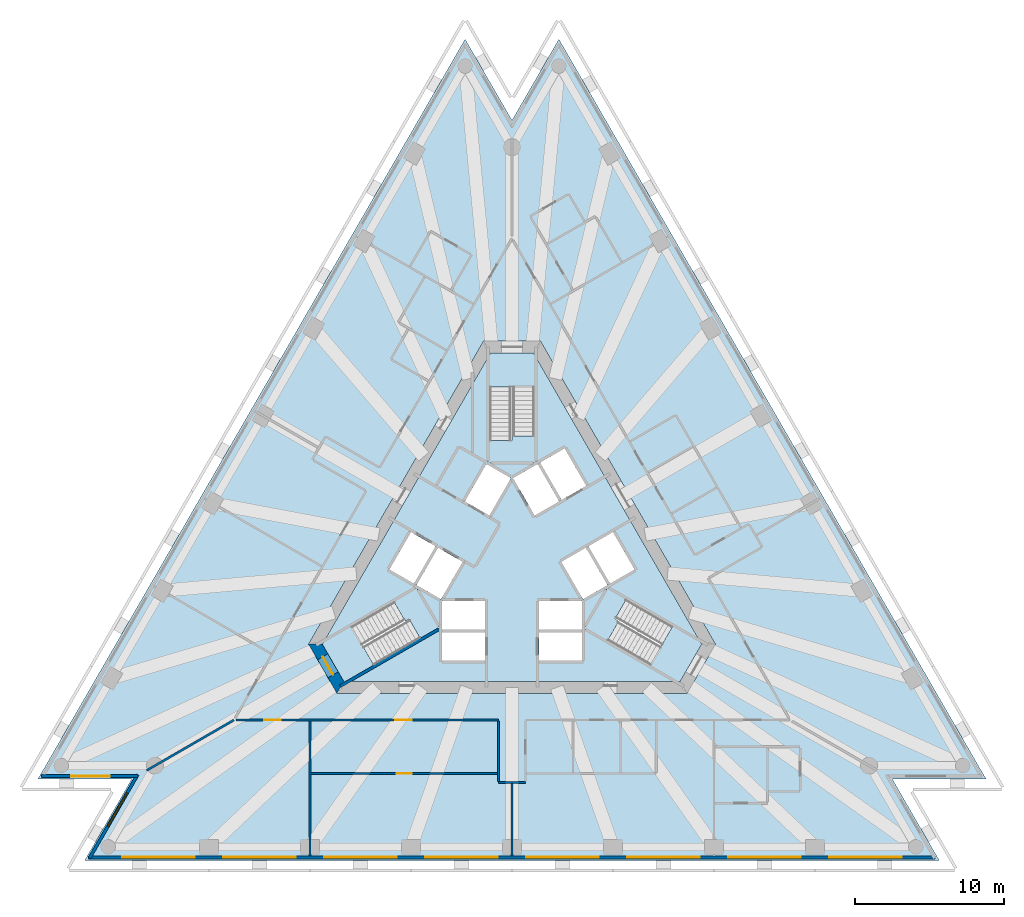
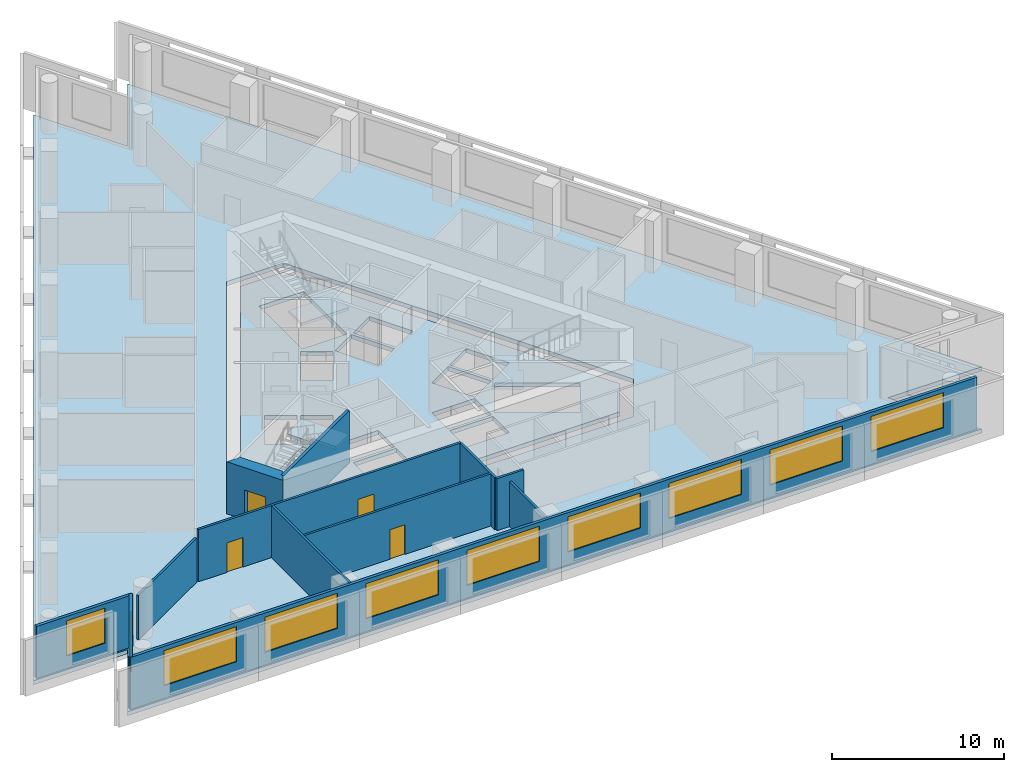
# One storey, part 2 of 9: 12 walls, 10 windows, 5 slabs, 4 doors, 14 openings, 3 elements without a shape of their own.
"""IFC4 building model written with IfcOpenShell, lengths in metres."""

from ifc_helpers import new_model, si_unit, direction, frame, frame_2d, origin, place, context, subcontext, project, spatial, polyline, rectangle, outline, extrude, material, layer, layer_set, layer_usage, type_object, element, fill, aggregate, save


model = new_model("IFC4")

# Units and contexts
model_context = context("Model", 3, precision=1e-05, world=origin(), true_north=direction((0.0, 1.0)))
body_context = subcontext(model_context, "Body", "Model", "MODEL_VIEW")
ifc_project = project(units=[si_unit("LENGTHUNIT", "METRE"), si_unit("AREAUNIT", "SQUARE_METRE"), si_unit("VOLUMEUNIT", "CUBIC_METRE"), si_unit("PLANEANGLEUNIT", "RADIAN"), si_unit("MASSUNIT", "GRAM", prefix="KILO")], contexts=[model_context])

# Site, building, storey
site_placement = place(None, origin())
site = spatial("IfcSite", under=ifc_project, at=site_placement, CompositionType="ELEMENT")
building_placement = place(site_placement, origin())
building = spatial("IfcBuilding", under=site, at=building_placement, Name="Triada Interchange Tower", CompositionType="ELEMENT")
storey_placement = place(building_placement, frame((0.0, 0.0, 132.300048828125)))
storey = spatial("IfcBuildingStorey", under=building, at=storey_placement, Name="L30", CompositionType="ELEMENT", Elevation=132.300048828125)

# Slabs
ifc_material_1 = material(Name="Concrete C50/60", Category="concrete")
ifc_layer_1 = layer(ifc_material_1, 0.300048828125)
ifc_layer_set_1 = layer_set([ifc_layer_1], Name="Floor slab 300")
slab_type_1 = type_object("IfcSlabType", Name="Floor slab 300", PredefinedType="FLOOR", material=ifc_layer_set_1)
slab_1_placement = place(storey_placement, frame((0.0, 0.0, -0.300048828125)))
element("IfcSlab", 1, at=slab_1_placement, inside=storey, type_object=slab_type_1, Name="Floor slab L30", PredefinedType="FLOOR", context=body_context, shape_type="SweptSolid", body=[
    extrude(outline(polyline([(-3.154052734375, 35.0009765625), (-31.888916015625, -14.76904296875), (-25.5810546875, -14.76904296875), (-28.735107421875, -20.23193359375), (28.735107421875, -20.23193359375), (25.5810546875, -14.76904296875), (31.888916015625, -14.76904296875), (3.154052734375, 35.0009765625), (0.0, 29.5390625), (-3.154052734375, 35.0009765625)]), holes=[polyline([(1.905029296875, 14.699951171875), (-1.905029296875, 14.699951171875), (-13.68310546875, -5.699951171875), (-11.778076171875, -9.0), (11.778076171875, -9.0), (13.68310546875, -5.699951171875), (1.905029296875, 14.699951171875)])]), origin(), (0.0, 0.0, 1.0), 0.300048828125),
])
slab_2_placement = place(storey_placement, frame((0.0, 0.0, -0.300048828125)))
element("IfcSlab", 2, at=slab_2_placement, inside=storey, type_object=slab_type_1, Name="Core floor slab L30 1", PredefinedType="FLOOR", context=body_context, shape_type="SweptSolid", body=[
    extrude(outline(polyline([(12.759033203125, -5.699951171875), (11.31591796875, -8.199951171875), (-11.31591796875, -8.199951171875), (-12.759033203125, -5.699951171875), (-1.443115234375, 13.89990234375), (1.443115234375, 13.89990234375), (12.759033203125, -5.699951171875)]), holes=[polyline([(9.2958984375, -7.09912109375), (10.7958984375, -4.5009765625), (6.466064453125, -2.0009765625), (4.966064453125, -4.59912109375), (9.2958984375, -7.09912109375)]), polyline([(6.7890625, 1.841064453125), (5.14404296875, 0.89111328125), (6.593994140625, -1.6201171875), (8.239013671875, -0.669921875), (6.7890625, 1.841064453125)]), polyline([(4.77490234375, -2.669921875), (6.419921875, -1.719970703125), (4.969970703125, 0.791015625), (3.9150390625, 0.181884765625), (3.324951171875, -0.158935546875), (4.77490234375, -2.669921875)]), polyline([(1.89404296875, 6.52001953125), (3.343994140625, 4.009033203125), (4.989013671875, 4.958984375), (3.5390625, 7.469970703125), (1.89404296875, 6.52001953125)]), polyline([(4.699951171875, -6.800048828125), (4.699951171875, -4.89990234375), (1.800048828125, -4.89990234375), (1.800048828125, -6.800048828125), (4.699951171875, -6.800048828125)]), polyline([(4.699951171875, -2.800048828125), (1.800048828125, -2.800048828125), (1.800048828125, -4.699951171875), (4.699951171875, -4.699951171875), (4.699951171875, -2.800048828125)]), polyline([(0.074951171875, 5.469970703125), (1.52490234375, 2.958984375), (3.169921875, 3.908935546875), (1.719970703125, 6.419921875), (0.074951171875, 5.469970703125)]), polyline([(1.5, 11.60009765625), (-1.5, 11.60009765625), (-1.5, 6.60009765625), (1.5, 6.60009765625), (1.5, 11.60009765625)]), polyline([(-1.52490234375, 2.958984375), (-0.074951171875, 5.469970703125), (-1.719970703125, 6.419921875), (-3.169921875, 3.908935546875), (-1.52490234375, 2.958984375)]), polyline([(-1.800048828125, -2.800048828125), (-4.699951171875, -2.800048828125), (-4.699951171875, -4.699951171875), (-1.800048828125, -4.699951171875), (-1.800048828125, -2.800048828125)]), polyline([(-4.699951171875, -6.800048828125), (-1.800048828125, -6.800048828125), (-1.800048828125, -4.89990234375), (-4.699951171875, -4.89990234375), (-4.699951171875, -6.800048828125)]), polyline([(-4.77490234375, -2.669921875), (-3.324951171875, -0.158935546875), (-4.969970703125, 0.791015625), (-6.419921875, -1.719970703125), (-4.77490234375, -2.669921875)]), polyline([(-10.7958984375, -4.5009765625), (-9.2958984375, -7.09912109375), (-4.966064453125, -4.59912109375), (-6.466064453125, -2.0009765625), (-10.7958984375, -4.5009765625)]), polyline([(-6.593994140625, -1.6201171875), (-5.14404296875, 0.89111328125), (-6.7890625, 1.841064453125), (-8.239013671875, -0.669921875), (-6.593994140625, -1.6201171875)])]), origin(), (0.0, 0.0, 1.0), 0.300048828125),
])

# Stair, slab
ifc_material_2 = material(Name="Concrete C35/45", Category="concrete")
stair_type = type_object("IfcStairType", Name="HALF TURN STAIR 1400", PredefinedType="HALF_TURN_STAIR", material=ifc_material_2)
stair_1_placement = place(storey_placement, origin())
stair_1 = element("IfcStair", 3, at=stair_1_placement, inside=storey, type_object=stair_type, Name="Exit stair S29-1", PredefinedType="HALF_TURN_STAIR")
ifc_layer_2 = layer(ifc_material_2, 0.199951171875)
ifc_layer_set_2 = layer_set([ifc_layer_2], Name="STAIR LANDING 200")
slab_type_2 = type_object("IfcSlabType", Name="STAIR LANDING 200", PredefinedType="LANDING", material=ifc_layer_set_2)
slab_3_placement = place(storey_placement, frame((0.0, 0.0, 1.719970703125)))
slab_3 = element("IfcSlab", 4, at=slab_3_placement, type_object=slab_type_2, Name="S29-1 landing 1", PredefinedType="LANDING", context=body_context, shape_type="SweptSolid", body=[
    extrude(outline(polyline([(1.60009765625, 6.5), (1.60009765625, 8.300048828125), (0.0, 8.300048828125), (0.0, 8.0), (-1.60009765625, 8.0), (-1.60009765625, 6.5), (1.60009765625, 6.5)])), origin(), (0.0, 0.0, 1.0), 0.199951171875),
])
aggregate(stair_1, [slab_3])

stair_2_placement = place(storey_placement, origin())
stair_2 = element("IfcStair", 5, at=stair_2_placement, inside=storey, type_object=stair_type, Name="Exit stair S29-2", PredefinedType="HALF_TURN_STAIR")
slab_4_placement = place(storey_placement, frame((0.0, 0.0, 1.719970703125)))
slab_4 = element("IfcSlab", 6, at=slab_4_placement, type_object=slab_type_2, Name="S29-2 landing 1", PredefinedType="LANDING", context=body_context, shape_type="SweptSolid", body=[
    extrude(outline(polyline([(-6.428955078125, -1.864013671875), (-7.988037109375, -2.763916015625), (-7.18798828125, -4.14990234375), (-6.927978515625, -4.0), (-6.1279296875, -5.385986328125), (-4.8291015625, -4.635986328125), (-6.428955078125, -1.864013671875)])), origin(), (0.0, 0.0, 1.0), 0.199951171875),
])
aggregate(stair_2, [slab_4])

stair_3_placement = place(storey_placement, origin())
stair_3 = element("IfcStair", 7, at=stair_3_placement, inside=storey, type_object=stair_type, Name="Exit stair S29-3", PredefinedType="HALF_TURN_STAIR")
slab_5_placement = place(storey_placement, frame((0.0, 0.0, 1.719970703125)))
slab_5 = element("IfcSlab", 8, at=slab_5_placement, type_object=slab_type_2, Name="S29-3 landing 1", PredefinedType="LANDING", context=body_context, shape_type="SweptSolid", body=[
    extrude(outline(polyline([(4.8291015625, -4.635986328125), (6.387939453125, -5.535888671875), (7.18798828125, -4.14990234375), (6.927978515625, -4.0), (7.72802734375, -2.614013671875), (6.428955078125, -1.864013671875), (4.8291015625, -4.635986328125)])), origin(), (0.0, 0.0, 1.0), 0.199951171875),
])
aggregate(stair_3, [slab_5])

# Wall
ifc_material_3 = material(Name="Concrete C30/37", Category="concrete")
ifc_layer_3 = layer(ifc_material_3, 0.199951171875)
ifc_layer_set_3 = layer_set([ifc_layer_3], Name="CORE WALL 200 REI 240")
wall_type_1 = type_object("IfcWallType", Name="CORE WALL 200 REI 240", PredefinedType="SOLIDWALL", material=ifc_layer_set_3)
wall_1_placement = place(storey_placement, frame((-11.56689453125, -8.52587890625, 0.0), z_axis=(0.0, 0.0, 1.0), x_axis=(0.866005769735, 0.50003400563, 0.0)))
element("IfcWall", 9, at=wall_1_placement, inside=storey, type_object=wall_type_1, Name="Wall L29 94", PredefinedType="SOLIDWALL", context=body_context, shape_type="SweptSolid", body=[
    extrude(rectangle(XDim=7.6650390625, YDim=0.199951171875, at=frame_2d((3.83251953125, 0.0))), origin(), (0.0, 0.0, 1.0), 3.699951171875),
])

# Wall, opening, door
ifc_material_4 = material(Name="Concrete C60/75", Category="concrete")
ifc_layer_4 = layer(ifc_material_4, 0.800048828125)
ifc_layer_set_4 = layer_set([ifc_layer_4], Name="Core wall B 800")
wall_type_2 = type_object("IfcWallType", Name="Core wall B 800", PredefinedType="SHEAR", material=ifc_layer_set_4)
wall_2_placement = place(storey_placement, frame((-13.220947265625, -5.699951171875, -0.300048828125), z_axis=(0.0, 0.0, 1.0), x_axis=(0.49987182685, -0.866099391942, 0.0)))
wall_2 = element("IfcWall", 10, at=wall_2_placement, inside=storey, type_object=wall_type_2, Name="Core wall WB03 L30", PredefinedType="SHEAR", context=body_context, shape_type="SweptSolid", body=[
    extrude(outline(polyline([(-0.23095703125, -0.39990234375), (1.674072265625, -0.39990234375), (3.5791015625, -0.39990234375), (3.117919921875, 0.39990234375), (1.67431640625, 0.39990234375), (0.23095703125, 0.39990234375), (-0.23095703125, -0.39990234375)])), origin(), (0.0, 0.0, 1.0), 4.0),
])
opening_1_placement = place(wall_2_placement, frame((0.97412109375, 0.0, 0.300048828125)))
opening_1 = element("IfcOpeningElement", 11, at=opening_1_placement, cuts=wall_2, Name="Opening D29-39", PredefinedType="OPENING", context=body_context, shape_type="SweptSolid", body=[
    extrude(rectangle(XDim=1.39990234375, YDim=2.10009765625, at=frame_2d((0.699951171875, 1.050048828125))), frame((0.0, 0.409912109375, 0.0), z_axis=(0.0, -1.0, 0.0), x_axis=(1.0, 0.0, 0.0)), (0.0, 0.0, 1.0), 0.820068359375),
])
ifc_material_5 = material(Name="Steel S235 door leaf", Category="steel")
door_type_1 = type_object("IfcDoorType", Name="STAIR DOOR 1400 EI2 90-C5S200", OperationType="DOUBLE_DOOR_SINGLE_SWING", PredefinedType="DOOR", material=ifc_material_5)
door_1_placement = place(opening_1_placement, origin())
door_1 = element("IfcDoor", 12, at=door_1_placement, inside=storey, type_object=door_type_1, Name="Door D29-39 L30", OperationType="DOUBLE_DOOR_SINGLE_SWING", OverallHeight=2.10009765625, OverallWidth=1.39990234375, PredefinedType="DOOR", context=body_context, shape_type="SweptSolid", body=[
    extrude(rectangle(XDim=1.39990234375, YDim=2.10009765625, at=frame_2d((0.699951171875, 1.050048828125))), frame((0.0, 0.02490234375, 0.0), z_axis=(0.0, -1.0, 0.0), x_axis=(1.0, 0.0, 0.0)), (0.0, 0.0, 1.0), 0.050048828125),
])
fill(opening_1, door_1)

# Wall, opening, window
ifc_material_6 = material(Name="Cement board")
ifc_layer_5 = layer(ifc_material_6, 0.02001953125, Name="Cement board cladding")
ifc_material_7 = material(Name="Sheathing board")
ifc_layer_6 = layer(ifc_material_7, 0.014892578125, Name="Sheathing board")
ifc_material_8 = material(Name="Mineral wool")
ifc_layer_7 = layer(ifc_material_8, 0.14990234375, Name="Mineral wool between steel studs")
ifc_material_9 = material(Name="Gypsum board")
ifc_layer_8 = layer(ifc_material_9, 0.014892578125, Name="Plasterboard lining")
ifc_layer_set_5 = layer_set([ifc_layer_5, ifc_layer_6, ifc_layer_7, ifc_layer_8], Name="External wall 200")
ifc_layer_usage = layer_usage(ifc_layer_set_5, "AXIS2", "POSITIVE", -0.10009765625)
wall_type_3 = type_object("IfcWallType", Name="External wall 200", PredefinedType="ELEMENTEDWALL", material=ifc_layer_set_5)
wall_3_placement = place(storey_placement, frame((-31.633056640625, -14.569091796875, 0.0), z_axis=(0.0, 0.0, 1.0), x_axis=(1.0, 0.0, 0.0)))
wall_3 = element("IfcWall", 13, at=wall_3_placement, inside=storey, type_object=wall_type_3, material=ifc_layer_usage, Name="External wall L30 SW-1", PredefinedType="ELEMENTEDWALL", context=body_context, shape_type="SweptSolid", body=[
    extrude(rectangle(XDim=6.468017578125, YDim=0.199951171875, at=frame_2d((3.23388671875, 0.0))), origin(), (0.0, 0.0, 1.0), 3.699951171875),
])
opening_2_placement = place(wall_3_placement, frame((1.989990234375, 0.0, 0.89990234375)))
opening_2 = element("IfcOpeningElement", 14, at=opening_2_placement, cuts=wall_3, Name="Opening WB09", PredefinedType="OPENING", context=body_context, shape_type="SweptSolid", body=[
    extrude(rectangle(XDim=2.60009765625, YDim=2.5, at=frame_2d((1.300048828125, 1.25))), frame((0.0, 0.10986328125, 0.0), z_axis=(0.0, -1.0, 0.0), x_axis=(1.0, 0.0, 0.0)), (0.0, 0.0, 1.0), 0.219970703125),
])
ifc_material_10 = material(Name="Double glazed aluminium window", Category="aluminium")
window_type_1 = type_object("IfcWindowType", Name="Ribbon window B pocket", PartitioningType="SINGLE_PANEL", PredefinedType="WINDOW", material=ifc_material_10)
window_1_placement = place(opening_2_placement, origin())
window_1 = element("IfcWindow", 15, at=window_1_placement, inside=storey, type_object=window_type_1, Name="Window L30 SW-1 1", OverallHeight=2.5, OverallWidth=2.60009765625, PartitioningType="SINGLE_PANEL", PredefinedType="WINDOW", context=body_context, shape_type="SweptSolid", body=[
    extrude(rectangle(XDim=2.60009765625, YDim=2.5, at=frame_2d((1.300048828125, 1.25))), frame((0.0, 0.030029296875, 0.0), z_axis=(0.0, -1.0, 0.0), x_axis=(1.0, 0.0, 0.0)), (0.0, 0.0, 1.0), 0.06005859375),
])
fill(opening_2, window_1)

wall_4_placement = place(storey_placement, frame((-25.18994140625, -14.490966796875, 0.0), z_axis=(0.0, 0.0, 1.0), x_axis=(-0.499975110204, -0.866039773438, 0.0)))
wall_4 = element("IfcWall", 16, at=wall_4_placement, inside=storey, type_object=wall_type_3, material=ifc_layer_usage, Name="External wall L30 SW-2", PredefinedType="ELEMENTEDWALL", context=body_context, shape_type="SweptSolid", body=[
    extrude(rectangle(XDim=6.468505859375, YDim=0.199951171875, at=frame_2d((3.234375, 0.0))), origin(), (0.0, 0.0, 1.0), 3.699951171875),
])
opening_3_placement = place(wall_4_placement, frame((1.389892578125, 0.0, 0.89990234375)))
opening_3 = element("IfcOpeningElement", 17, at=opening_3_placement, cuts=wall_4, Name="Opening WB10", PredefinedType="OPENING", context=body_context, shape_type="SweptSolid", body=[
    extrude(rectangle(XDim=2.60009765625, YDim=2.5, at=frame_2d((1.300048828125, 1.25))), frame((0.0, 0.10986328125, 0.0), z_axis=(0.0, -1.0, 0.0), x_axis=(1.0, 0.0, 0.0)), (0.0, 0.0, 1.0), 0.219970703125),
])
window_2_placement = place(opening_3_placement, origin())
window_2 = element("IfcWindow", 18, at=window_2_placement, inside=storey, type_object=window_type_1, Name="Window L30 SW-2 1", OverallHeight=2.5, OverallWidth=2.60009765625, PartitioningType="SINGLE_PANEL", PredefinedType="WINDOW", context=body_context, shape_type="SweptSolid", body=[
    extrude(rectangle(XDim=2.60009765625, YDim=2.5, at=frame_2d((1.300048828125, 1.25))), frame((0.0, 0.030029296875, 0.0), z_axis=(0.0, -1.0, 0.0), x_axis=(1.0, 0.0, 0.0)), (0.0, 0.0, 1.0), 0.06005859375),
])
fill(opening_3, window_2)

# Wall, openings, windows
wall_5_placement = place(storey_placement, frame((-28.47900390625, -20.031982421875, 0.0), z_axis=(0.0, 0.0, 1.0), x_axis=(1.0, 0.0, 0.0)))
wall_5 = element("IfcWall", 19, at=wall_5_placement, inside=storey, type_object=wall_type_3, material=ifc_layer_usage, Name="External wall L30 S", PredefinedType="ELEMENTEDWALL", context=body_context, shape_type="SweptSolid", body=[
    extrude(rectangle(XDim=56.93798828125, YDim=0.199951171875, at=frame_2d((28.468994140625, 0.0))), origin(), (0.0, 0.0, 1.0), 3.699951171875),
])
opening_4_placement = place(wall_5_placement, frame((2.25, 0.0, 0.89990234375)))
opening_4 = element("IfcOpeningElement", 20, at=opening_4_placement, cuts=wall_5, Name="Opening WB11", PredefinedType="OPENING", context=body_context, shape_type="SweptSolid", body=[
    extrude(rectangle(XDim=4.89990234375, YDim=2.5, at=frame_2d((2.449951171875, 1.25))), frame((0.0, 0.10986328125, 0.0), z_axis=(0.0, -1.0, 0.0), x_axis=(1.0, 0.0, 0.0)), (0.0, 0.0, 1.0), 0.219970703125),
])
opening_5_placement = place(wall_5_placement, frame((9.0439453125, 0.0, 0.89990234375)))
opening_5 = element("IfcOpeningElement", 21, at=opening_5_placement, cuts=wall_5, Name="Opening WB12", PredefinedType="OPENING", context=body_context, shape_type="SweptSolid", body=[
    extrude(rectangle(XDim=4.89990234375, YDim=2.5, at=frame_2d((2.449951171875, 1.25))), frame((0.0, 0.10986328125, 0.0), z_axis=(0.0, -1.0, 0.0), x_axis=(1.0, 0.0, 0.0)), (0.0, 0.0, 1.0), 0.219970703125),
])
opening_6_placement = place(wall_5_placement, frame((15.837890625, 0.0, 0.89990234375)))
opening_6 = element("IfcOpeningElement", 22, at=opening_6_placement, cuts=wall_5, Name="Opening WB13", PredefinedType="OPENING", context=body_context, shape_type="SweptSolid", body=[
    extrude(rectangle(XDim=4.89990234375, YDim=2.5, at=frame_2d((2.449951171875, 1.25))), frame((0.0, 0.10986328125, 0.0), z_axis=(0.0, -1.0, 0.0), x_axis=(1.0, 0.0, 0.0)), (0.0, 0.0, 1.0), 0.219970703125),
])
opening_7_placement = place(wall_5_placement, frame((22.632080078125, 0.0, 0.89990234375)))
opening_7 = element("IfcOpeningElement", 23, at=opening_7_placement, cuts=wall_5, Name="Opening WB14", PredefinedType="OPENING", context=body_context, shape_type="SweptSolid", body=[
    extrude(rectangle(XDim=4.89990234375, YDim=2.5, at=frame_2d((2.449951171875, 1.25))), frame((0.0, 0.10986328125, 0.0), z_axis=(0.0, -1.0, 0.0), x_axis=(1.0, 0.0, 0.0)), (0.0, 0.0, 1.0), 0.219970703125),
])
opening_8_placement = place(wall_5_placement, frame((29.426025390625, 0.0, 0.89990234375)))
opening_8 = element("IfcOpeningElement", 24, at=opening_8_placement, cuts=wall_5, Name="Opening WB15", PredefinedType="OPENING", context=body_context, shape_type="SweptSolid", body=[
    extrude(rectangle(XDim=4.89990234375, YDim=2.5, at=frame_2d((2.449951171875, 1.25))), frame((0.0, 0.10986328125, 0.0), z_axis=(0.0, -1.0, 0.0), x_axis=(1.0, 0.0, 0.0)), (0.0, 0.0, 1.0), 0.219970703125),
])
opening_9_placement = place(wall_5_placement, frame((36.219970703125, 0.0, 0.89990234375)))
opening_9 = element("IfcOpeningElement", 25, at=opening_9_placement, cuts=wall_5, Name="Opening WB16", PredefinedType="OPENING", context=body_context, shape_type="SweptSolid", body=[
    extrude(rectangle(XDim=4.89990234375, YDim=2.5, at=frame_2d((2.449951171875, 1.25))), frame((0.0, 0.10986328125, 0.0), z_axis=(0.0, -1.0, 0.0), x_axis=(1.0, 0.0, 0.0)), (0.0, 0.0, 1.0), 0.219970703125),
])
opening_10_placement = place(wall_5_placement, frame((43.013916015625, 0.0, 0.89990234375)))
opening_10 = element("IfcOpeningElement", 26, at=opening_10_placement, cuts=wall_5, Name="Opening WB17", PredefinedType="OPENING", context=body_context, shape_type="SweptSolid", body=[
    extrude(rectangle(XDim=4.89990234375, YDim=2.5, at=frame_2d((2.449951171875, 1.25))), frame((0.0, 0.10986328125, 0.0), z_axis=(0.0, -1.0, 0.0), x_axis=(1.0, 0.0, 0.0)), (0.0, 0.0, 1.0), 0.219970703125),
])
opening_11_placement = place(wall_5_placement, frame((49.80810546875, 0.0, 0.89990234375)))
opening_11 = element("IfcOpeningElement", 27, at=opening_11_placement, cuts=wall_5, Name="Opening WB18", PredefinedType="OPENING", context=body_context, shape_type="SweptSolid", body=[
    extrude(rectangle(XDim=4.89990234375, YDim=2.5, at=frame_2d((2.449951171875, 1.25))), frame((0.0, 0.10986328125, 0.0), z_axis=(0.0, -1.0, 0.0), x_axis=(1.0, 0.0, 0.0)), (0.0, 0.0, 1.0), 0.219970703125),
])
window_type_2 = type_object("IfcWindowType", Name="Ribbon window B face", PartitioningType="SINGLE_PANEL", PredefinedType="WINDOW", material=ifc_material_10)
window_3_placement = place(opening_4_placement, origin())
window_3 = element("IfcWindow", 28, at=window_3_placement, inside=storey, type_object=window_type_2, Name="Window L30 S 1", OverallHeight=2.5, OverallWidth=4.89990234375, PartitioningType="SINGLE_PANEL", PredefinedType="WINDOW", context=body_context, shape_type="SweptSolid", body=[
    extrude(rectangle(XDim=4.89990234375, YDim=2.5, at=frame_2d((2.449951171875, 1.25))), frame((0.0, 0.030029296875, 0.0), z_axis=(0.0, -1.0, 0.0), x_axis=(1.0, 0.0, 0.0)), (0.0, 0.0, 1.0), 0.06005859375),
])
fill(opening_4, window_3)
window_4_placement = place(opening_5_placement, origin())
window_4 = element("IfcWindow", 29, at=window_4_placement, inside=storey, type_object=window_type_2, Name="Window L30 S 2", OverallHeight=2.5, OverallWidth=4.89990234375, PartitioningType="SINGLE_PANEL", PredefinedType="WINDOW", context=body_context, shape_type="SweptSolid", body=[
    extrude(rectangle(XDim=4.89990234375, YDim=2.5, at=frame_2d((2.449951171875, 1.25))), frame((0.0, 0.030029296875, 0.0), z_axis=(0.0, -1.0, 0.0), x_axis=(1.0, 0.0, 0.0)), (0.0, 0.0, 1.0), 0.06005859375),
])
fill(opening_5, window_4)
window_5_placement = place(opening_6_placement, origin())
window_5 = element("IfcWindow", 30, at=window_5_placement, inside=storey, type_object=window_type_2, Name="Window L30 S 3", OverallHeight=2.5, OverallWidth=4.89990234375, PartitioningType="SINGLE_PANEL", PredefinedType="WINDOW", context=body_context, shape_type="SweptSolid", body=[
    extrude(rectangle(XDim=4.89990234375, YDim=2.5, at=frame_2d((2.449951171875, 1.25))), frame((0.0, 0.030029296875, 0.0), z_axis=(0.0, -1.0, 0.0), x_axis=(1.0, 0.0, 0.0)), (0.0, 0.0, 1.0), 0.06005859375),
])
fill(opening_6, window_5)
window_6_placement = place(opening_7_placement, origin())
window_6 = element("IfcWindow", 31, at=window_6_placement, inside=storey, type_object=window_type_2, Name="Window L30 S 4", OverallHeight=2.5, OverallWidth=4.89990234375, PartitioningType="SINGLE_PANEL", PredefinedType="WINDOW", context=body_context, shape_type="SweptSolid", body=[
    extrude(rectangle(XDim=4.89990234375, YDim=2.5, at=frame_2d((2.449951171875, 1.25))), frame((0.0, 0.030029296875, 0.0), z_axis=(0.0, -1.0, 0.0), x_axis=(1.0, 0.0, 0.0)), (0.0, 0.0, 1.0), 0.06005859375),
])
fill(opening_7, window_6)
window_7_placement = place(opening_8_placement, origin())
window_7 = element("IfcWindow", 32, at=window_7_placement, inside=storey, type_object=window_type_2, Name="Window L30 S 5", OverallHeight=2.5, OverallWidth=4.89990234375, PartitioningType="SINGLE_PANEL", PredefinedType="WINDOW", context=body_context, shape_type="SweptSolid", body=[
    extrude(rectangle(XDim=4.89990234375, YDim=2.5, at=frame_2d((2.449951171875, 1.25))), frame((0.0, 0.030029296875, 0.0), z_axis=(0.0, -1.0, 0.0), x_axis=(1.0, 0.0, 0.0)), (0.0, 0.0, 1.0), 0.06005859375),
])
fill(opening_8, window_7)
window_8_placement = place(opening_9_placement, origin())
window_8 = element("IfcWindow", 33, at=window_8_placement, inside=storey, type_object=window_type_2, Name="Window L30 S 6", OverallHeight=2.5, OverallWidth=4.89990234375, PartitioningType="SINGLE_PANEL", PredefinedType="WINDOW", context=body_context, shape_type="SweptSolid", body=[
    extrude(rectangle(XDim=4.89990234375, YDim=2.5, at=frame_2d((2.449951171875, 1.25))), frame((0.0, 0.030029296875, 0.0), z_axis=(0.0, -1.0, 0.0), x_axis=(1.0, 0.0, 0.0)), (0.0, 0.0, 1.0), 0.06005859375),
])
fill(opening_9, window_8)
window_9_placement = place(opening_10_placement, origin())
window_9 = element("IfcWindow", 34, at=window_9_placement, inside=storey, type_object=window_type_2, Name="Window L30 S 7", OverallHeight=2.5, OverallWidth=4.89990234375, PartitioningType="SINGLE_PANEL", PredefinedType="WINDOW", context=body_context, shape_type="SweptSolid", body=[
    extrude(rectangle(XDim=4.89990234375, YDim=2.5, at=frame_2d((2.449951171875, 1.25))), frame((0.0, 0.030029296875, 0.0), z_axis=(0.0, -1.0, 0.0), x_axis=(1.0, 0.0, 0.0)), (0.0, 0.0, 1.0), 0.06005859375),
])
fill(opening_10, window_9)
window_10_placement = place(opening_11_placement, origin())
window_10 = element("IfcWindow", 35, at=window_10_placement, inside=storey, type_object=window_type_2, Name="Window L30 S 8", OverallHeight=2.5, OverallWidth=4.89990234375, PartitioningType="SINGLE_PANEL", PredefinedType="WINDOW", context=body_context, shape_type="SweptSolid", body=[
    extrude(rectangle(XDim=4.89990234375, YDim=2.5, at=frame_2d((2.449951171875, 1.25))), frame((0.0, 0.030029296875, 0.0), z_axis=(0.0, -1.0, 0.0), x_axis=(1.0, 0.0, 0.0)), (0.0, 0.0, 1.0), 0.06005859375),
])
fill(opening_11, window_10)

# Wall
ifc_material_11 = material(Name="Gypsum board partition")
ifc_layer_9 = layer(ifc_material_11, 0.14990234375)
ifc_layer_set_6 = layer_set([ifc_layer_9], Name="PARTITION 150 EI 180")
wall_type_4 = type_object("IfcWallType", Name="PARTITION 150 EI 180", PredefinedType="PARTITIONING", material=ifc_layer_set_6)
wall_6_placement = place(storey_placement, frame((-24.55908203125, -14.178955078125, 0.0), z_axis=(0.0, 0.0, 1.0), x_axis=(0.866047229553, 0.499962194753, 0.0)))
element("IfcWall", 36, at=wall_6_placement, inside=storey, type_object=wall_type_4, Name="Wall L29 1", PredefinedType="PARTITIONING", context=body_context, shape_type="SweptSolid", body=[
    extrude(rectangle(XDim=6.75830078125, YDim=0.14990234375, at=frame_2d((3.379150390625, 0.0))), origin(), (0.0, 0.0, 1.0), 3.14990234375),
])

# Wall, openings, doors
wall_7_placement = place(storey_placement, frame((-18.555908203125, -10.800048828125, 0.0), z_axis=(0.0, 0.0, 1.0), x_axis=(1.0, 0.0, 0.0)))
wall_7 = element("IfcWall", 37, at=wall_7_placement, inside=storey, type_object=wall_type_4, Name="Wall L29 4", PredefinedType="PARTITIONING", context=body_context, shape_type="SweptSolid", body=[
    extrude(rectangle(XDim=17.655029296875, YDim=0.14990234375, at=frame_2d((8.82763671875, 0.0))), origin(), (0.0, 0.0, 1.0), 3.699951171875),
])
opening_12_placement = place(wall_7_placement, frame((1.89990234375, 0.0, 0.0)))
opening_12 = element("IfcOpeningElement", 38, at=opening_12_placement, cuts=wall_7, Name="Opening D29-11", PredefinedType="OPENING", context=body_context, shape_type="SweptSolid", body=[
    extrude(rectangle(XDim=1.10009765625, YDim=2.10009765625, at=frame_2d((0.550048828125, 1.050048828125))), frame((0.0, 0.0849609375, 0.0), z_axis=(0.0, -1.0, 0.0), x_axis=(1.0, 0.0, 0.0)), (0.0, 0.0, 1.0), 0.169921875),
])
opening_13_placement = place(wall_7_placement, frame((10.718017578125, 0.0, 0.0)))
opening_13 = element("IfcOpeningElement", 39, at=opening_13_placement, cuts=wall_7, Name="Opening D29-12", PredefinedType="OPENING", context=body_context, shape_type="SweptSolid", body=[
    extrude(rectangle(XDim=1.10009765625, YDim=2.10009765625, at=frame_2d((0.550048828125, 1.050048828125))), frame((0.0, 0.0849609375, 0.0), z_axis=(0.0, -1.0, 0.0), x_axis=(1.0, 0.0, 0.0)), (0.0, 0.0, 1.0), 0.169921875),
])
door_type_2 = type_object("IfcDoorType", Name="TENANCY ENTRANCE DOOR 1100 EI2 90-C5S200", OperationType="NOTDEFINED", PredefinedType="DOOR", material=ifc_material_5)
door_2_placement = place(opening_12_placement, origin())
door_2 = element("IfcDoor", 40, at=door_2_placement, inside=storey, type_object=door_type_2, Name="Door D29-11 L30", OperationType="SINGLE_SWING_RIGHT", OverallHeight=2.10009765625, OverallWidth=1.10009765625, PredefinedType="DOOR", context=body_context, shape_type="SweptSolid", body=[
    extrude(rectangle(XDim=1.10009765625, YDim=2.10009765625, at=frame_2d((0.550048828125, 1.050048828125))), frame((0.0, 0.02490234375, 0.0), z_axis=(0.0, -1.0, 0.0), x_axis=(1.0, 0.0, 0.0)), (0.0, 0.0, 1.0), 0.050048828125),
])
fill(opening_12, door_2)
door_3_placement = place(opening_13_placement, origin())
door_3 = element("IfcDoor", 41, at=door_3_placement, inside=storey, type_object=door_type_2, Name="Door D29-12 L30", OperationType="SINGLE_SWING_LEFT", OverallHeight=2.10009765625, OverallWidth=1.10009765625, PredefinedType="DOOR", context=body_context, shape_type="SweptSolid", body=[
    extrude(rectangle(XDim=1.10009765625, YDim=2.10009765625, at=frame_2d((0.550048828125, 1.050048828125))), frame((0.0, 0.02490234375, 0.0), z_axis=(0.0, -1.0, 0.0), x_axis=(1.0, 0.0, 0.0)), (0.0, 0.0, 1.0), 0.050048828125),
])
fill(opening_13, door_3)

# Walls
wall_8_placement = place(storey_placement, frame((-13.587890625, -19.951904296875, 0.0), z_axis=(0.0, 0.0, 1.0), x_axis=(0.0, 1.0, 0.0)))
element("IfcWall", 42, at=wall_8_placement, inside=storey, type_object=wall_type_4, Name="Wall L29 10", PredefinedType="PARTITIONING", context=body_context, shape_type="SweptSolid", body=[
    extrude(rectangle(XDim=9.076904296875, YDim=0.14990234375, at=frame_2d((4.53857421875, 0.0))), origin(), (0.0, 0.0, 1.0), 3.699951171875),
])
wall_9_placement = place(storey_placement, frame((-0.89990234375, -15.0, 0.0), z_axis=(0.0, 0.0, 1.0), x_axis=(1.0, 0.0, 0.0)))
element("IfcWall", 43, at=wall_9_placement, inside=storey, type_object=wall_type_4, Name="Wall L29 11", PredefinedType="PARTITIONING", context=body_context, shape_type="SweptSolid", body=[
    extrude(rectangle(XDim=1.7998046875, YDim=0.14990234375, at=frame_2d((0.89990234375, 0.0))), origin(), (0.0, 0.0, 1.0), 3.699951171875),
])
wall_10_placement = place(storey_placement, frame((-0.89990234375, -14.925048828125, 0.0), z_axis=(0.0, 0.0, 1.0), x_axis=(0.0, 1.0, 0.0)))
element("IfcWall", 44, at=wall_10_placement, inside=storey, type_object=wall_type_4, Name="Wall L29 12", PredefinedType="PARTITIONING", context=body_context, shape_type="SweptSolid", body=[
    extrude(rectangle(XDim=4.049072265625, YDim=0.14990234375, at=frame_2d((2.0244140625, 0.0))), origin(), (0.0, 0.0, 1.0), 3.699951171875),
])
wall_11_placement = place(storey_placement, frame((0.0, -19.951904296875, 0.0), z_axis=(0.0, 0.0, 1.0), x_axis=(0.0, 1.0, 0.0)))
element("IfcWall", 45, at=wall_11_placement, inside=storey, type_object=wall_type_4, Name="Wall L29 21", PredefinedType="PARTITIONING", context=body_context, shape_type="SweptSolid", body=[
    extrude(rectangle(XDim=4.876953125, YDim=0.14990234375, at=frame_2d((2.4384765625, 0.0))), origin(), (0.0, 0.0, 1.0), 3.199951171875),
])

# Wall, opening, door
ifc_layer_10 = layer(ifc_material_11, 0.14990234375)
ifc_layer_set_7 = layer_set([ifc_layer_10], Name="PARTITION 150 EI 90")
wall_type_5 = type_object("IfcWallType", Name="PARTITION 150 EI 90", PredefinedType="PARTITIONING", material=ifc_layer_set_7)
wall_12_placement = place(storey_placement, frame((-13.512939453125, -14.39990234375, 0.0), z_axis=(0.0, 0.0, 1.0), x_axis=(1.0, 0.0, 0.0)))
wall_12 = element("IfcWall", 46, at=wall_12_placement, inside=storey, type_object=wall_type_5, Name="Wall L29 40", PredefinedType="PARTITIONING", context=body_context, shape_type="SweptSolid", body=[
    extrude(rectangle(XDim=12.537841796875, YDim=0.14990234375, at=frame_2d((6.26904296875, 0.0))), origin(), (0.0, 0.0, 1.0), 3.699951171875),
])
opening_14_placement = place(wall_12_placement, frame((5.77490234375, 0.0, 0.0)))
opening_14 = element("IfcOpeningElement", 47, at=opening_14_placement, cuts=wall_12, Name="Opening D29-13", PredefinedType="OPENING", context=body_context, shape_type="SweptSolid", body=[
    extrude(rectangle(XDim=1.0, YDim=2.10009765625, at=frame_2d((0.5, 1.050048828125))), frame((0.0, 0.0849609375, 0.0), z_axis=(0.0, -1.0, 0.0), x_axis=(1.0, 0.0, 0.0)), (0.0, 0.0, 1.0), 0.169921875),
])
door_type_3 = type_object("IfcDoorType", Name="ROOM DOOR 1000 EI2 45-C5S200", OperationType="NOTDEFINED", PredefinedType="DOOR", material=ifc_material_5)
door_4_placement = place(opening_14_placement, origin())
door_4 = element("IfcDoor", 48, at=door_4_placement, inside=storey, type_object=door_type_3, Name="Door D29-13 L30", OperationType="SINGLE_SWING_RIGHT", OverallHeight=2.10009765625, OverallWidth=1.0, PredefinedType="DOOR", context=body_context, shape_type="SweptSolid", body=[
    extrude(rectangle(XDim=1.0, YDim=2.10009765625, at=frame_2d((0.5, 1.050048828125))), frame((0.0, 0.02490234375, 0.0), z_axis=(0.0, -1.0, 0.0), x_axis=(1.0, 0.0, 0.0)), (0.0, 0.0, 1.0), 0.050048828125),
])
fill(opening_14, door_4)

save(model, "model.ifc")
